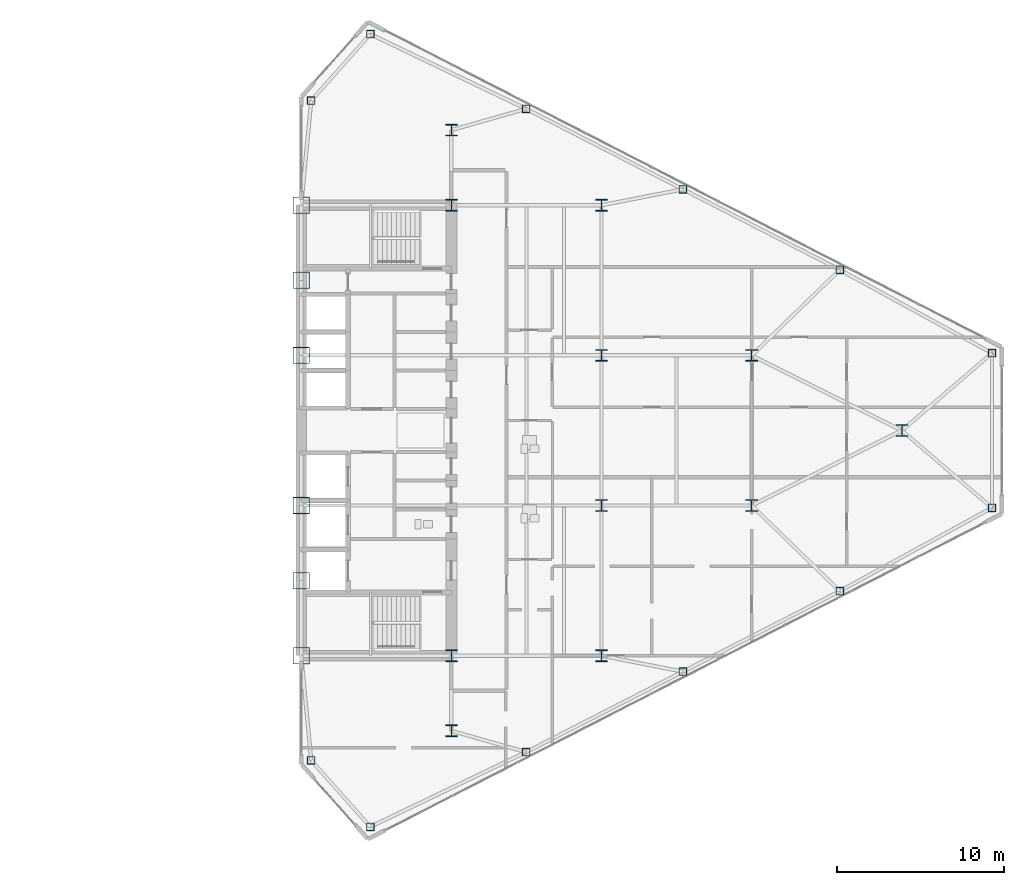
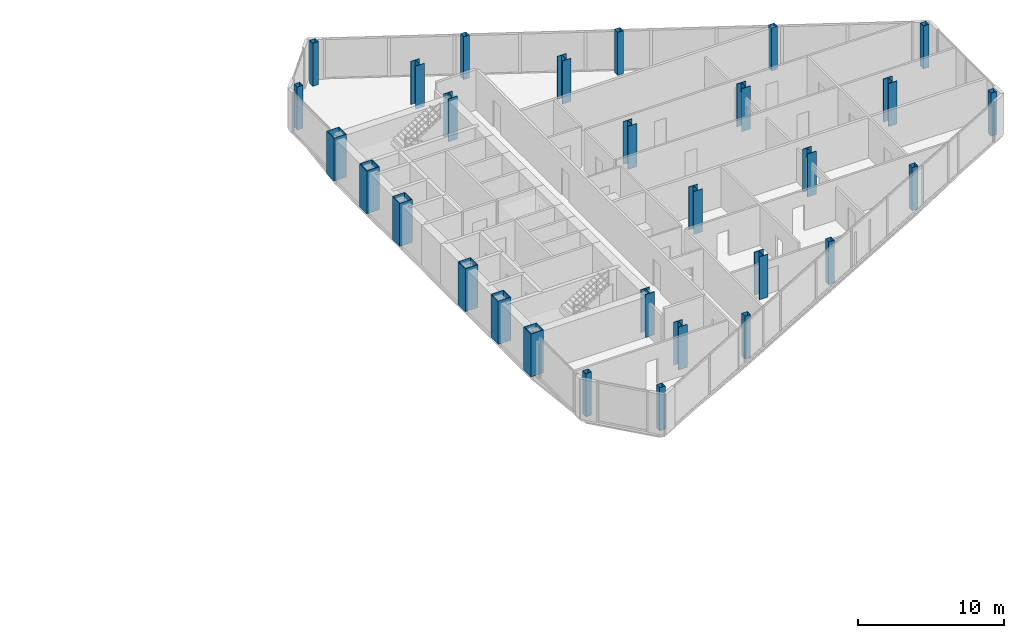
# One storey, part 2 of 24: 29 columns.
"""IFC4 building model written with IfcOpenShell, lengths in metres."""

import ifcopenshell
import ifcopenshell.guid

model = None  # the IFC model being written
_history = None  # IfcOwnerHistory: only IFC2X3 demands one
_inside = {}  # id of a spatial element -> (the spatial element, [elements in it])
_under = {}  # id of a project, library or spatial element -> (it, [spatial elements below it])
_declared = {}  # id of a project -> (the project, [libraries it declares])
_typed = {}  # id of a type object -> (the type object, [elements of that type])
_made_of = {}  # id of a material, layer set ... -> (it, [elements and type objects made of it])


def new_model(schema):
    """Start an empty IFC model of exactly this schema.

    Asked for "IFC4X3", IfcOpenShell would pick the latest addendum, in which some entities
    have other attributes; the version numbers below select the first issue.
    IFC2X3 requires an IfcOwnerHistory on every rooted entity: one is made here for all.
    """
    global model, _history
    if schema == "IFC4X3":
        model = ifcopenshell.file(schema_version=(4, 3, 0, 0))
    else:
        model = ifcopenshell.file(schema=schema)
    _inside.clear()
    _under.clear()
    _declared.clear()
    _typed.clear()
    _made_of.clear()
    _history = None
    if model.schema == "IFC2X3":
        org = make("IfcOrganization", Name="unknown")
        user = make(
            "IfcPersonAndOrganization",
            ThePerson=make("IfcPerson", FamilyName="unknown"),
            TheOrganization=org,
        )
        app = make(
            "IfcApplication",
            ApplicationDeveloper=org,
            Version="unknown",
            ApplicationFullName="unknown",
            ApplicationIdentifier="unknown",
        )
        _history = make(
            "IfcOwnerHistory",
            OwningUser=user,
            OwningApplication=app,
            ChangeAction="ADDED",
            CreationDate=0,
        )
    return model


def make(cls, **values):
    """One entity of the class cls with the attributes given. An attribute that is None is left unset."""
    return model.create_entity(
        cls, **{name: value for name, value in values.items() if value is not None}
    )


def rooted(cls, **values):
    """An entity with a GlobalId (a new one), such as an element, a storey or a relation."""
    return make(cls, GlobalId=ifcopenshell.guid.new(), OwnerHistory=_history, **values)


def si_unit(unit_type, name, prefix=None):
    """IfcSIUnit, for example si_unit("LENGTHUNIT", "METRE", prefix="MILLI")."""
    return make("IfcSIUnit", UnitType=unit_type, Prefix=prefix, Name=name)


def assignment(units):
    """IfcUnitAssignment: the units of a project."""
    return None if units is None else make("IfcUnitAssignment", Units=units)


def point(xyz):
    """IfcCartesianPoint."""
    return None if xyz is None else make("IfcCartesianPoint", Coordinates=xyz)


def direction(xyz):
    """IfcDirection."""
    return None if xyz is None else make("IfcDirection", DirectionRatios=xyz)


def frame(location, z_axis=None, x_axis=None):
    """IfcAxis2Placement3D, a coordinate frame: its origin and axes. An axis left out is left unset."""
    return make(
        "IfcAxis2Placement3D",
        Location=point(location),
        Axis=direction(z_axis),
        RefDirection=direction(x_axis),
    )


def frame_2d(location, x_axis=None):
    """IfcAxis2Placement2D, a coordinate frame in the plane: its origin and x axis."""
    return make(
        "IfcAxis2Placement2D", Location=point(location), RefDirection=direction(x_axis)
    )


def origin():
    """The frame at (0, 0, 0) with its axes left unset."""
    return frame((0.0, 0.0, 0.0))


def origin_2d():
    """The frame at (0, 0) in the plane with its x axis left unset."""
    return frame_2d((0.0, 0.0))


def place(relative_to, where):
    """IfcLocalPlacement: puts the frame where relative to a parent placement (None: the world)."""
    return make(
        "IfcLocalPlacement", PlacementRelTo=relative_to, RelativePlacement=where
    )


def context(
    kind, dimensions, precision=None, world=None, true_north=None, identifier=None
):
    """IfcGeometricRepresentationContext, for example the 3D "Model" context."""
    return make(
        "IfcGeometricRepresentationContext",
        ContextIdentifier=identifier,
        ContextType=kind,
        CoordinateSpaceDimension=dimensions,
        Precision=precision,
        WorldCoordinateSystem=world,
        TrueNorth=true_north,
    )


def subcontext(parent, identifier, kind, view, scale=None):
    """IfcGeometricRepresentationSubContext, for example "Body" below "Model"."""
    return make(
        "IfcGeometricRepresentationSubContext",
        ContextIdentifier=identifier,
        ContextType=kind,
        ParentContext=parent,
        TargetScale=scale,
        TargetView=view,
    )


def project(units=None, contexts=None):
    """IfcProject with its units and contexts."""
    return rooted(
        "IfcProject",
        Name="project",
        RepresentationContexts=contexts,
        UnitsInContext=assignment(units),
    )


def spatial(cls, under=None, at=None, **own):
    """A site, building, storey or space (cls), placed at a placement, below another one or the project."""
    s = rooted(cls, ObjectPlacement=at, **own)
    if under is not None:
        _under.setdefault(under.id(), (under, []))[1].append(s)
    return s


def profile(cls, at=None, kind="AREA", **sizes):
    """A parametric profile (cls). Its sizes go by their IFC names, for example OverallWidth=200.0."""
    return make(cls, ProfileType=kind, Position=at, **sizes)


def hollow_rectangle(**sizes):
    """IfcRectangleHollowProfileDef."""
    return profile("IfcRectangleHollowProfileDef", **sizes)


def i_section(**sizes):
    """IfcIShapeProfileDef."""
    return profile("IfcIShapeProfileDef", **sizes)


def extrude(swept, where, along, depth):
    """IfcExtrudedAreaSolid: the profile swept, set in the frame where, extruded along a direction by depth."""
    return make(
        "IfcExtrudedAreaSolid",
        SweptArea=swept,
        Position=where,
        ExtrudedDirection=direction(along),
        Depth=depth,
    )


def shape(context_of_items, identifier, shape_type, items):
    """IfcShapeRepresentation: the items that make up one representation, for example the "Body"."""
    return make(
        "IfcShapeRepresentation",
        ContextOfItems=context_of_items,
        RepresentationIdentifier=identifier,
        RepresentationType=shape_type,
        Items=items,
    )


def source(mapping_origin, context_of_items, identifier, shape_type, items):
    """IfcRepresentationMap: a shape defined once, which mapped items show again and again."""
    return make(
        "IfcRepresentationMap",
        MappingOrigin=mapping_origin,
        MappedRepresentation=shape(context_of_items, identifier, shape_type, items),
    )


def transform(
    local_origin,
    x_axis=None,
    y_axis=None,
    z_axis=None,
    scale=None,
    scale2=None,
    scale3=None,
    uniform=True,
):
    """IfcCartesianTransformationOperator3D, or its non-uniform kind. x_axis, y_axis, z_axis: its Axis1, 2, 3."""
    if uniform:
        return make(
            "IfcCartesianTransformationOperator3D",
            Axis1=direction(x_axis),
            Axis2=direction(y_axis),
            LocalOrigin=point(local_origin),
            Scale=scale,
            Axis3=direction(z_axis),
        )
    return make(
        "IfcCartesianTransformationOperator3DnonUniform",
        Axis1=direction(x_axis),
        Axis2=direction(y_axis),
        LocalOrigin=point(local_origin),
        Scale=scale,
        Axis3=direction(z_axis),
        Scale2=scale2,
        Scale3=scale3,
    )


def mapped(mapping_source, mapping_target):
    """IfcMappedItem: shows the shape of a source again, moved by a transform."""
    return make(
        "IfcMappedItem", MappingSource=mapping_source, MappingTarget=mapping_target
    )


def material(Name=None, Category=None):
    """IfcMaterial."""
    return make("IfcMaterial", Name=Name, Category=Category)


def material_profile(
    of_material, cross_section, Name=None, Category=None, Priority=None
):
    """IfcMaterialProfile: a cross section and its material."""
    return make(
        "IfcMaterialProfile",
        Name=Name,
        Material=of_material,
        Profile=cross_section,
        Priority=Priority,
        Category=Category,
    )


def profile_set(profiles, Name=None, composite=None):
    """IfcMaterialProfileSet."""
    return make(
        "IfcMaterialProfileSet",
        Name=Name,
        MaterialProfiles=profiles,
        CompositeProfile=composite,
    )


def made_of(thing, what):
    """Note that an element or type object is made of a material, layer set ...; save() writes the relation."""
    if what is not None:
        _made_of.setdefault(what.id(), (what, []))[1].append(thing)
    return thing


def type_object(cls, material=None, **own):
    """A type object (cls), such as IfcWallType, which elements share."""
    return made_of(rooted(cls, **own), material)


def type_shapes(of_type, sources):
    """Give a type object the sources (RepresentationMaps) that its elements show as mapped items."""
    of_type.RepresentationMaps = sources


def element(
    cls,
    number,
    at=None,
    inside=None,
    cuts=None,
    type_object=None,
    material=None,
    context=None,
    identifier="Body",
    shape_type=None,
    held_by="IfcProductDefinitionShape",
    body=None,
    shapes=None,
    **own,
):
    """One element of the class cls, such as IfcWall. Its Tag is "e" and its number.

    at: its placement. inside: the storey or other place that contains it. cuts: it is an
    opening in that element (IfcRelVoidsElement). A single representation is given by context,
    identifier, shape_type and body (its items); several are given by shapes. held_by: the class
    of the entity that holds the representations. save() writes the other relations.
    """
    e = rooted(cls, Tag="e%d" % number, ObjectPlacement=at, **own)
    if body is not None:
        shapes = [shape(context, identifier, shape_type, body)]
    if shapes is not None:
        e.Representation = make(held_by, Representations=shapes)
    if inside is not None:
        _inside.setdefault(inside.id(), (inside, []))[1].append(e)
    if cuts is not None:
        rooted(
            "IfcRelVoidsElement", RelatingBuildingElement=cuts, RelatedOpeningElement=e
        )
    if type_object is not None:
        _typed.setdefault(type_object.id(), (type_object, []))[1].append(e)
    return made_of(e, material)


def aggregate(whole, parts):
    """IfcRelAggregates: a whole, such as a stair, and the parts it consists of."""
    return rooted("IfcRelAggregates", RelatingObject=whole, RelatedObjects=parts)


def save(model, path):
    """Write the relations noted so far, then the file.

    IfcRelAggregates (storeys below a building ...), IfcRelContainedInSpatialStructure (elements
    in a storey), IfcRelDefinesByType, IfcRelAssociatesMaterial and IfcRelDeclares: one each for
    every whole, place, type object, material and project.
    """
    for whole, parts in _under.values():
        aggregate(whole, parts)
    for where, things in _inside.values():
        rooted(
            "IfcRelContainedInSpatialStructure",
            RelatedElements=things,
            RelatingStructure=where,
        )
    for kind, things in _typed.values():
        rooted("IfcRelDefinesByType", RelatedObjects=things, RelatingType=kind)
    for what, things in _made_of.values():
        rooted("IfcRelAssociatesMaterial", RelatedObjects=things, RelatingMaterial=what)
    for by, libraries in _declared.values():
        rooted("IfcRelDeclares", RelatingContext=by, RelatedDefinitions=libraries)
    model.write(path)


model = new_model("IFC4")

# Units and contexts
model_context = context("Model", 3, precision=1e-05, world=origin(), true_north=direction((0.0, 1.0)))
body_context = subcontext(model_context, "Body", "Model", "MODEL_VIEW")
ifc_project = project(units=[si_unit("LENGTHUNIT", "METRE"), si_unit("AREAUNIT", "SQUARE_METRE"), si_unit("VOLUMEUNIT", "CUBIC_METRE"), si_unit("PLANEANGLEUNIT", "RADIAN"), si_unit("MASSUNIT", "GRAM", prefix="KILO")], contexts=[model_context])

# Site, building, storey
site_placement = place(None, origin())
site = spatial("IfcSite", under=ifc_project, at=site_placement, CompositionType="ELEMENT")
building_placement = place(site_placement, origin())
building = spatial("IfcBuilding", under=site, at=building_placement, Name="Seokmaru Belvedere", CompositionType="ELEMENT")
storey_placement = place(building_placement, frame((0.0, 0.0, 124.800048828125)))
storey = spatial("IfcBuildingStorey", under=building, at=storey_placement, Name="L33", CompositionType="ELEMENT", Elevation=124.800048828125)

# Columns
ifc_material_1 = material(Name="Steel HSA650 (650 MPa)", Category="steel")
ifc_material_profile_1 = material_profile(ifc_material_1, hollow_rectangle(XDim=1.0, YDim=1.0, WallThickness=0.0419921875, at=origin_2d()), Name="BOX-1000x1000x42")
ifc_profile_set_1 = profile_set([ifc_material_profile_1], Name="Steel HSA650 (650 MPa)")
column_type_1 = type_object("IfcColumnType", Name="Portal Spine Column BOX-1000", PredefinedType="COLUMN", material=ifc_profile_set_1)
shared_shape_1 = source(origin(), body_context, "Body", "SweptSolid", [
    extrude(hollow_rectangle(XDim=1.0, YDim=1.0, WallThickness=0.0419921875, at=origin_2d()), origin(), (0.0, 0.0, 1.0), 3.599853515625),
])
type_shapes(column_type_1, [shared_shape_1])
for number, where, z_axis, x_axis, name in (
    (1, (27.5, -13.5, 0.0), (0.0, 0.0, 1.0), (1.0, 0.0, 0.0), "L33 Column ES1"),
    (2, (27.5, -9.0, 0.0), (0.0, 0.0, 1.0), (1.0, 0.0, 0.0), "L33 Column ES2"),
    (3, (27.5, -4.5, 0.0), (0.0, 0.0, 1.0), (1.0, 0.0, 0.0), "L33 Column ES3"),
    (4, (27.5, 4.5, 0.0), (0.0, 0.0, 1.0), (1.0, 0.0, 0.0), "L33 Column ES4"),
    (5, (27.5, 9.0, 0.0), (0.0, 0.0, 1.0), (1.0, 0.0, 0.0), "L33 Column ES5"),
    (6, (27.5, 13.5, 0.0), (0.0, 0.0, 1.0), (1.0, 0.0, 0.0), "L33 Column ES6"),
):
    element("IfcColumn", number, at=place(storey_placement, frame(where, z_axis=z_axis, x_axis=x_axis)), inside=storey, type_object=column_type_1, Name=name, PredefinedType="COLUMN", context=body_context, shape_type="MappedRepresentation", body=[
        mapped(shared_shape_1, transform((0.0, 0.0, 0.0), scale=1.0)),
    ])
ifc_material_2 = material(Name="Steel SM355 (355 MPa)", Category="steel")
ifc_material_profile_2 = material_profile(ifc_material_2, i_section(OverallWidth=0.699951171875, OverallDepth=0.699951171875, WebThickness=0.028076171875, FlangeThickness=0.044921875, at=origin_2d()), Name="H-700x700x28x45")
ifc_profile_set_2 = profile_set([ifc_material_profile_2], Name="Steel SM355 (355 MPa)")
column_type_2 = type_object("IfcColumnType", Name="Mid Interior Column H-700", PredefinedType="COLUMN", material=ifc_profile_set_2)
shared_shape_2 = source(origin(), body_context, "Body", "SweptSolid", [
    extrude(i_section(OverallWidth=0.699951171875, OverallDepth=0.699951171875, WebThickness=0.028076171875, FlangeThickness=0.044921875, at=origin_2d()), origin(), (0.0, 0.0, 1.0), 3.599853515625),
])
type_shapes(column_type_2, [shared_shape_2])
for number, where, z_axis, x_axis, name in (
    (7, (36.5, -18.0, 0.0), (0.0, 0.0, 1.0), (1.0, 0.0, 0.0), "L33 Column EC1"),
    (8, (36.5, -13.5, 0.0), (0.0, 0.0, 1.0), (1.0, 0.0, 0.0), "L33 Column EC2"),
    (9, (36.5, 13.5, 0.0), (0.0, 0.0, 1.0), (1.0, 0.0, 0.0), "L33 Column EC3"),
    (10, (36.5, 18.0, 0.0), (0.0, 0.0, 1.0), (1.0, 0.0, 0.0), "L33 Column EC4"),
    (11, (45.5, -13.5, 0.0), (0.0, 0.0, 1.0), (1.0, 0.0, 0.0), "L33 Column EG5_1"),
    (12, (45.5, -4.5, 0.0), (0.0, 0.0, 1.0), (1.0, 0.0, 0.0), "L33 Column EG5_2"),
    (13, (45.5, 4.5, 0.0), (0.0, 0.0, 1.0), (1.0, 0.0, 0.0), "L33 Column EG5_3"),
    (14, (45.5, 13.5, 0.0), (0.0, 0.0, 1.0), (1.0, 0.0, 0.0), "L33 Column EG5_4"),
    (15, (54.5, -4.5, 0.0), (0.0, 0.0, 1.0), (1.0, 0.0, 0.0), "L33 Column EG4P_1"),
    (16, (54.5, 4.5, 0.0), (0.0, 0.0, 1.0), (1.0, 0.0, 0.0), "L33 Column EG4P_2"),
    (17, (63.5, 0.0, 0.0), (0.0, 0.0, 1.0), (1.0, 0.0, 0.0), "L33 Column EG3P_1"),
):
    element("IfcColumn", number, at=place(storey_placement, frame(where, z_axis=z_axis, x_axis=x_axis)), inside=storey, type_object=column_type_2, Name=name, PredefinedType="COLUMN", context=body_context, shape_type="MappedRepresentation", body=[
        mapped(shared_shape_2, transform((0.0, 0.0, 0.0), scale=1.0)),
    ])
ifc_material_profile_3 = material_profile(ifc_material_2, hollow_rectangle(XDim=0.449951171875, YDim=0.449951171875, WallThickness=0.01806640625, at=origin_2d()), Name="HSS-450x450x18")
ifc_profile_set_3 = profile_set([ifc_material_profile_3], Name="Steel SM355 (355 MPa)")
column_type_3 = type_object("IfcColumnType", Name="Perimeter Facet Column HSS-450", PredefinedType="COLUMN", material=ifc_profile_set_3)
shared_shape_3 = source(origin(), body_context, "Body", "SweptSolid", [
    extrude(hollow_rectangle(XDim=0.449951171875, YDim=0.449951171875, WallThickness=0.01806640625, at=origin_2d()), origin(), (0.0, 0.0, 1.0), 3.599853515625),
])
type_shapes(column_type_3, [shared_shape_3])
for number, where, z_axis, x_axis, name in (
    (18, (31.6396484375, -23.75390625, 0.0), (0.0, 0.0, 1.0), (1.0, 0.0, 0.0), "L33 Column EF1"),
    (19, (68.89990234375, -4.633544921875, 0.0), (0.0, 0.0, 1.0), (1.0, 0.0, 0.0), "L33 Column EF2"),
    (20, (68.89990234375, 4.633544921875, 0.0), (0.0, 0.0, 1.0), (1.0, 0.0, 0.0), "L33 Column EF3"),
    (21, (31.6396484375, 23.75390625, 0.0), (0.0, 0.0, 1.0), (1.0, 0.0, 0.0), "L33 Column EF4"),
    (22, (28.10009765625, 19.77197265625, 0.0), (0.0, 0.0, 1.0), (1.0, 0.0, 0.0), "L33 Column EF5"),
    (23, (28.10009765625, -19.77197265625, 0.0), (0.0, 0.0, 1.0), (1.0, 0.0, 0.0), "L33 Column EF6"),
    (24, (40.975830078125, -19.277587890625, 0.0), (0.0, 0.0, 1.0), (1.0, 0.0, 0.0), "L33 Column EFLK_S1"),
    (25, (50.377197265625, -14.453369140625, 0.0), (0.0, 0.0, 1.0), (1.0, 0.0, 0.0), "L33 Column EFLK_S2"),
    (26, (59.778564453125, -9.62890625, 0.0), (0.0, 0.0, 1.0), (1.0, 0.0, 0.0), "L33 Column EFLK_S3"),
    (27, (40.975830078125, 19.277587890625, 0.0), (0.0, 0.0, 1.0), (1.0, 0.0, 0.0), "L33 Column EFLK_N1"),
    (28, (50.377197265625, 14.453369140625, 0.0), (0.0, 0.0, 1.0), (1.0, 0.0, 0.0), "L33 Column EFLK_N2"),
    (29, (59.778564453125, 9.62890625, 0.0), (0.0, 0.0, 1.0), (1.0, 0.0, 0.0), "L33 Column EFLK_N3"),
):
    element("IfcColumn", number, at=place(storey_placement, frame(where, z_axis=z_axis, x_axis=x_axis)), inside=storey, type_object=column_type_3, Name=name, PredefinedType="COLUMN", context=body_context, shape_type="MappedRepresentation", body=[
        mapped(shared_shape_3, transform((0.0, 0.0, 0.0), scale=1.0)),
    ])

save(model, "model.ifc")
